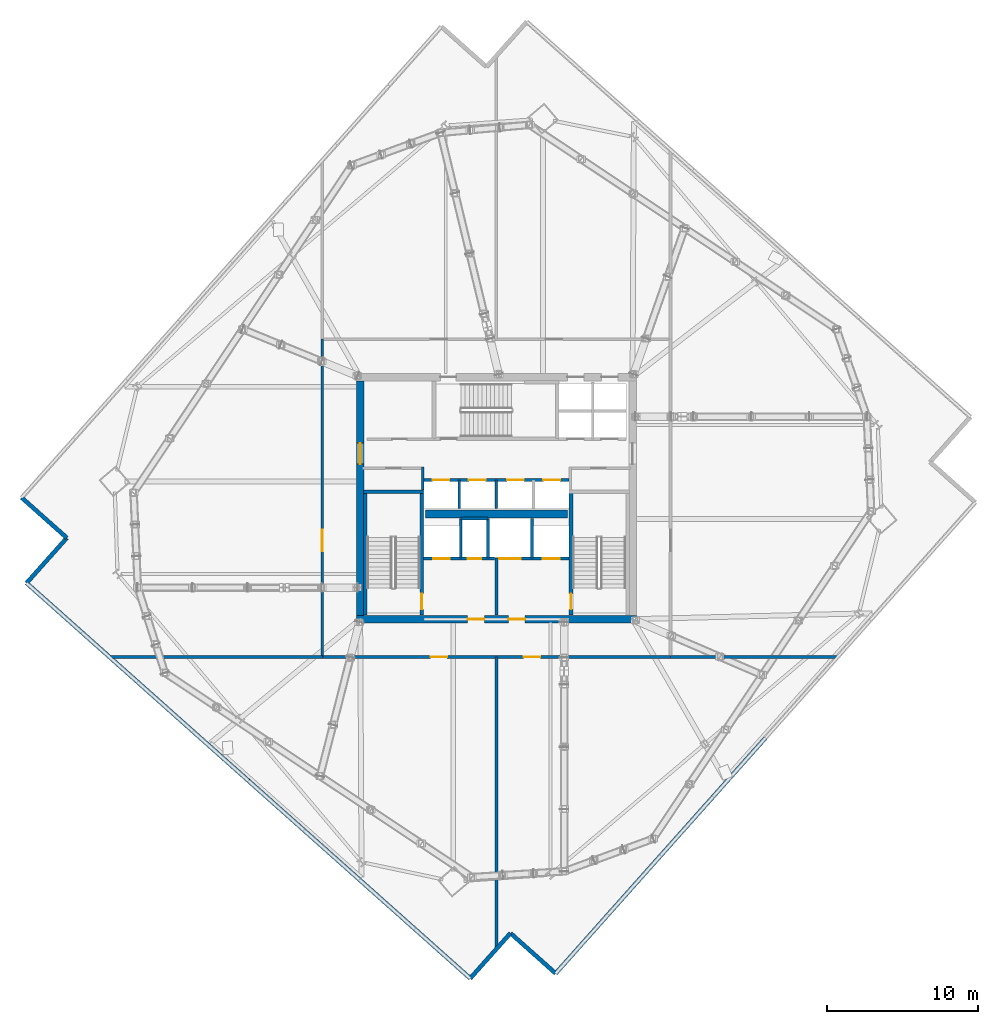
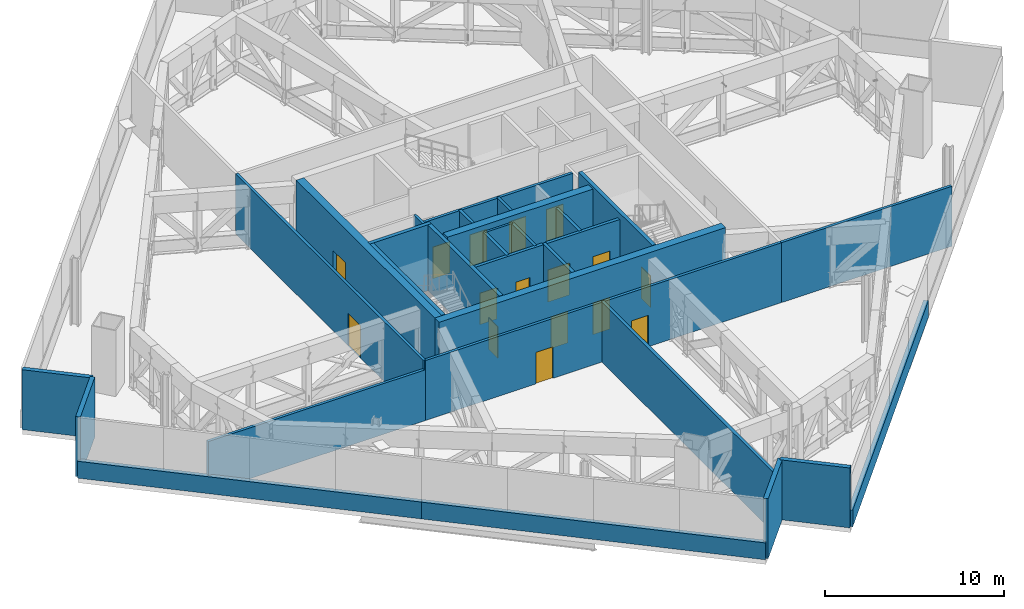
# One storey, part 12 of 18: 30 walls, 16 doors, 16 openings.
"""IFC4 building model written with IfcOpenShell, lengths in metres."""

from ifc_helpers import new_model, si_unit, direction, frame, frame_2d, origin, place, context, subcontext, project, spatial, rectangle, extrude, material, layer, layer_set, type_object, element, fill, save


model = new_model("IFC4")

# Units and contexts
model_context = context("Model", 3, precision=1e-05, world=origin(), true_north=direction((0.0, 1.0)))
body_context = subcontext(model_context, "Body", "Model", "MODEL_VIEW")
ifc_project = project(units=[si_unit("LENGTHUNIT", "METRE"), si_unit("AREAUNIT", "SQUARE_METRE"), si_unit("VOLUMEUNIT", "CUBIC_METRE"), si_unit("PLANEANGLEUNIT", "RADIAN"), si_unit("MASSUNIT", "GRAM", prefix="KILO")], contexts=[model_context])

# Site, building, storey
site_placement = place(None, origin())
site = spatial("IfcSite", under=ifc_project, at=site_placement, CompositionType="ELEMENT")
building_placement = place(site_placement, origin())
building = spatial("IfcBuilding", under=site, at=building_placement, Name="Haldenkirk Collegiate Tower", CompositionType="ELEMENT")
storey_placement = place(building_placement, frame((0.0, 0.0, 189.449951171875)))
storey = spatial("IfcBuildingStorey", under=building, at=storey_placement, Name="L47", CompositionType="ELEMENT", Elevation=189.449951171875)

# Wall, openings, doors
ifc_material_1 = material(Name="Concrete f'c 55 MPa", Category="concrete")
ifc_layer_1 = layer(ifc_material_1, 0.5)
ifc_layer_set_1 = layer_set([ifc_layer_1], Name="Concrete f'c 55 MPa")
wall_type_1 = type_object("IfcWallType", Name="WL-CORE-500", PredefinedType="SHEAR", material=ifc_layer_set_1)
wall_1_placement = place(storey_placement, frame((26.75, 18.0, 0.0), z_axis=(0.0, 0.0, 1.0), x_axis=(1.0, 0.0, 0.0)))
wall_1 = element("IfcWall", 1, at=wall_1_placement, inside=storey, type_object=wall_type_1, Name="L47 central core shear wall S", PredefinedType="SHEAR", context=body_context, shape_type="SweptSolid", body=[
    extrude(rectangle(XDim=18.5, YDim=0.5, at=frame_2d((9.25, 0.0))), origin(), (0.0, 0.0, 1.0), 4.5),
])
opening_1_placement = place(wall_1_placement, frame((7.35009765625, 0.0, 0.0)))
opening_1 = element("IfcOpeningElement", 2, at=opening_1_placement, cuts=wall_1, Name="Opening D-02", PredefinedType="OPENING", context=body_context, shape_type="SweptSolid", body=[
    extrude(rectangle(XDim=1.10009765625, YDim=2.14990234375, at=frame_2d((0.550048828125, 1.074951171875))), frame((0.0, 0.260009765625, 0.0), z_axis=(0.0, -1.0, 0.0), x_axis=(1.0, 0.0, 0.0)), (0.0, 0.0, 1.0), 0.52001953125),
])
opening_2_placement = place(wall_1_placement, frame((10.050048828125, 0.0, 0.0)))
opening_2 = element("IfcOpeningElement", 3, at=opening_2_placement, cuts=wall_1, Name="Opening D-02", PredefinedType="OPENING", context=body_context, shape_type="SweptSolid", body=[
    extrude(rectangle(XDim=1.10009765625, YDim=2.14990234375, at=frame_2d((0.550048828125, 1.074951171875))), frame((0.0, 0.260009765625, 0.0), z_axis=(0.0, -1.0, 0.0), x_axis=(1.0, 0.0, 0.0)), (0.0, 0.0, 1.0), 0.52001953125),
])
ifc_material_2 = material(Name="Galvanized fire-rated hollow steel door", Category="steel")
ifc_layer_2 = layer(ifc_material_2, 0.06005859375)
ifc_layer_set_2 = layer_set([ifc_layer_2], Name="Galvanized fire-rated hollow steel door")
door_type_1 = type_object("IfcDoorType", Name="DR-STAIR-FD90-1100", OperationType="NOTDEFINED", PredefinedType="DOOR", material=ifc_layer_set_2)
door_1_placement = place(opening_1_placement, origin())
door_1 = element("IfcDoor", 4, at=door_1_placement, inside=storey, type_object=door_type_1, Name="L47 Firefighting Lobby 1 door", OperationType="SINGLE_SWING_LEFT", OverallHeight=2.14990234375, OverallWidth=1.10009765625, PredefinedType="DOOR", context=body_context, shape_type="SweptSolid", body=[
    extrude(rectangle(XDim=1.10009765625, YDim=2.14990234375, at=frame_2d((0.550048828125, 1.074951171875))), frame((0.0, 0.02490234375, 0.0), z_axis=(0.0, -1.0, 0.0), x_axis=(1.0, 0.0, 0.0)), (0.0, 0.0, 1.0), 0.050048828125),
])
fill(opening_1, door_1)
door_2_placement = place(opening_2_placement, origin())
door_2 = element("IfcDoor", 5, at=door_2_placement, inside=storey, type_object=door_type_1, Name="L47 Firefighting Lobby 2 door", OperationType="SINGLE_SWING_RIGHT", OverallHeight=2.14990234375, OverallWidth=1.10009765625, PredefinedType="DOOR", context=body_context, shape_type="SweptSolid", body=[
    extrude(rectangle(XDim=1.10009765625, YDim=2.14990234375, at=frame_2d((0.550048828125, 1.074951171875))), frame((0.0, 0.02490234375, 0.0), z_axis=(0.0, -1.0, 0.0), x_axis=(1.0, 0.0, 0.0)), (0.0, 0.0, 1.0), 0.050048828125),
])
fill(opening_2, door_2)

# Wall, opening, door
wall_2_placement = place(storey_placement, frame((27.0, 18.25, 0.0), z_axis=(0.0, 0.0, 1.0), x_axis=(0.0, 1.0, 0.0)))
wall_2 = element("IfcWall", 6, at=wall_2_placement, inside=storey, type_object=wall_type_1, Name="L47 central core shear wall W", PredefinedType="SHEAR", context=body_context, shape_type="SweptSolid", body=[
    extrude(rectangle(XDim=15.5, YDim=0.5, at=frame_2d((7.75, 0.0))), origin(), (0.0, 0.0, 1.0), 4.5),
])
opening_3_placement = place(wall_2_placement, frame((9.989990234375, 0.0, 0.0)))
opening_3 = element("IfcOpeningElement", 7, at=opening_3_placement, cuts=wall_2, Name="Opening D-03", PredefinedType="OPENING", context=body_context, shape_type="SweptSolid", body=[
    extrude(rectangle(XDim=1.39990234375, YDim=2.199951171875, at=frame_2d((0.699951171875, 1.10009765625))), frame((0.0, 0.260009765625, 0.0), z_axis=(0.0, -1.0, 0.0), x_axis=(1.0, 0.0, 0.0)), (0.0, 0.0, 1.0), 0.52001953125),
])
ifc_layer_3 = layer(ifc_material_2, 0.06005859375)
ifc_layer_set_3 = layer_set([ifc_layer_3], Name="Galvanized fire-rated hollow steel door")
door_type_2 = type_object("IfcDoorType", Name="DR-LOBBY-FD90-1400", OperationType="NOTDEFINED", PredefinedType="DOOR", material=ifc_layer_set_3)
door_3_placement = place(opening_3_placement, origin())
door_3 = element("IfcDoor", 8, at=door_3_placement, inside=storey, type_object=door_type_2, Name="L47 west lift lobby portal", OperationType="DOUBLE_DOOR_SINGLE_SWING", OverallHeight=2.199951171875, OverallWidth=1.39990234375, PredefinedType="DOOR", context=body_context, shape_type="SweptSolid", body=[
    extrude(rectangle(XDim=1.39990234375, YDim=2.199951171875, at=frame_2d((0.699951171875, 1.10009765625))), frame((0.0, 0.02490234375, 0.0), z_axis=(0.0, -1.0, 0.0), x_axis=(1.0, 0.0, 0.0)), (0.0, 0.0, 1.0), 0.050048828125),
])
fill(opening_3, door_3)

# Walls
wall_3_placement = place(storey_placement, frame((31.31005859375, 24.949951171875, 0.0), z_axis=(0.0, 0.0, 1.0), x_axis=(1.0, 0.0, 0.0)))
element("IfcWall", 9, at=wall_3_placement, inside=storey, type_object=wall_type_1, Name="L47 central core spine shear wall", PredefinedType="SHEAR", context=body_context, shape_type="SweptSolid", body=[
    extrude(rectangle(XDim=9.3798828125, YDim=0.5, at=frame_2d((4.68994140625, 0.0))), origin(), (0.0, 0.0, 1.0), 4.5),
])
ifc_material_3 = material(Name="Precast concrete f'c 40 MPa", Category="concrete")
ifc_layer_4 = layer(ifc_material_3, 0.280029296875)
ifc_layer_set_4 = layer_set([ifc_layer_4], Name="Precast concrete f'c 40 MPa")
wall_type_2 = type_object("IfcWallType", Name="WL-EXT-PLT-280", PredefinedType="STANDARD", material=ifc_layer_set_4)
wall_4_placement = place(storey_placement, frame((53.78857421875, 10.15087890625, 0.0), z_axis=(0.0, 0.0, 1.0), x_axis=(-0.665226100778, -0.746641972329, 0.0)))
element("IfcWall", 10, at=wall_4_placement, inside=storey, type_object=wall_type_2, Name="L47 plant room precast spandrel 01B", PredefinedType="STANDARD", context=body_context, shape_type="SweptSolid", body=[
    extrude(rectangle(XDim=20.849853515625, YDim=0.280029296875, at=frame_2d((10.4248046875, 0.0))), origin(), (0.0, 0.0, 1.0), 1.150146484375),
])
for number, where, z_axis, x_axis, name in (
    (11, (7.60791015625, 23.371337890625, 0.0), (0.0, 0.0, 1.0), (-0.746644409856, 0.665223364916, 0.0), "L47 plant corner precast wall 08"),
    (12, (4.947021484375, 20.384765625, 0.0), (0.0, 0.0, 1.0), (0.665223364916, 0.746644409856, 0.0), "L47 plant corner precast wall 09"),
):
    element("IfcWall", number, at=place(storey_placement, frame(where, z_axis=z_axis, x_axis=x_axis)), inside=storey, type_object=wall_type_2, Name=name, PredefinedType="STANDARD", context=body_context, shape_type="SweptSolid", body=[
        extrude(rectangle(XDim=4.0, YDim=0.280029296875, at=frame_2d((2.0, 0.0))), origin(), (0.0, 0.0, 1.0), 4.090087890625),
    ])
for number, where, z_axis, x_axis, name in (
    (13, (34.27099609375, -5.7421875, 0.0), (0.0, 0.0, 1.0), (-0.746637837587, 0.665230741535, 0.0), "L47 plant room precast spandrel 10A"),
    (14, (19.60888671875, 7.3212890625, 0.0), (0.0, 0.0, 1.0), (-0.746632335794, 0.665236916554, 0.0), "L47 plant room precast spandrel 10B"),
):
    element("IfcWall", number, at=place(storey_placement, frame(where, z_axis=z_axis, x_axis=x_axis)), inside=storey, type_object=wall_type_2, Name=name, PredefinedType="STANDARD", context=body_context, shape_type="SweptSolid", body=[
        extrude(rectangle(XDim=19.637451171875, YDim=0.280029296875, at=frame_2d((9.81884765625, 0.0))), origin(), (0.0, 0.0, 1.0), 1.150146484375),
    ])
wall_5_placement = place(storey_placement, frame((36.931884765625, -2.755615234375, 0.0), z_axis=(0.0, 0.0, 1.0), x_axis=(-0.665223364916, -0.746644409856, 0.0)))
element("IfcWall", 15, at=wall_5_placement, inside=storey, type_object=wall_type_2, Name="L47 plant corner precast wall 11", PredefinedType="STANDARD", context=body_context, shape_type="SweptSolid", body=[
    extrude(rectangle(XDim=4.0, YDim=0.280029296875, at=frame_2d((2.0, 0.0))), origin(), (0.0, 0.0, 1.0), 4.090087890625),
])
wall_6_placement = place(storey_placement, frame((39.918701171875, -5.41650390625, 0.0), z_axis=(0.0, 0.0, 1.0), x_axis=(-0.746671417466, 0.66519305043, 0.0)))
element("IfcWall", 16, at=wall_6_placement, inside=storey, type_object=wall_type_2, Name="L47 plant corner precast wall 12", PredefinedType="STANDARD", context=body_context, shape_type="SweptSolid", body=[
    extrude(rectangle(XDim=4.000244140625, YDim=0.280029296875, at=frame_2d((2.0, 0.0))), origin(), (0.0, 0.0, 1.0), 4.090087890625),
])
ifc_material_4 = material(Name="Acoustic fire-rated gypsum partition", Category="concrete")
ifc_layer_5 = layer(ifc_material_4, 0.159912109375)
ifc_layer_set_5 = layer_set([ifc_layer_5], Name="Acoustic fire-rated gypsum partition")
wall_type_3 = type_object("IfcWallType", Name="WL-INT-CORR-160", PredefinedType="PARTITIONING", material=ifc_layer_set_5)
wall_7_placement = place(storey_placement, frame((31.1201171875, 26.5400390625, 0.0), z_axis=(0.0, 0.0, 1.0), x_axis=(0.0, 1.0, 0.0)))
element("IfcWall", 17, at=wall_7_placement, inside=storey, type_object=wall_type_3, Name="L47 interior partition IW-L47-VCSW-E", PredefinedType="PARTITIONING", context=body_context, shape_type="SweptSolid", body=[
    extrude(rectangle(XDim=1.510009765625, YDim=0.159912109375, at=frame_2d((0.7548828125, 0.0))), origin(), (0.0, 0.0, 1.0), 4.090087890625),
])
ifc_material_5 = material(Name="Fire-rated gypsum shaftboard assembly", Category="concrete")
ifc_layer_6 = layer(ifc_material_5, 0.179931640625)
ifc_layer_set_6 = layer_set([ifc_layer_6], Name="Fire-rated gypsum shaftboard assembly")
wall_type_4 = type_object("IfcWallType", Name="WL-INT-SHAFT-180", PredefinedType="PARTITIONING", material=ifc_layer_set_6)
for number, where, z_axis, x_axis, name in (
    (18, (33.64990234375, 22.050048828125, 0.0), (0.0, 0.0, 1.0), (0.0, 1.0, 0.0), "L47 interior partition IW-L47-FL1E"),
    (19, (35.449951171875, 22.050048828125, 0.0), (0.0, 0.0, 1.0), (0.0, 1.0, 0.0), "L47 interior partition IW-L47-GL1W"),
):
    element("IfcWall", number, at=place(storey_placement, frame(where, z_axis=z_axis, x_axis=x_axis)), inside=storey, type_object=wall_type_4, Name=name, PredefinedType="PARTITIONING", context=body_context, shape_type="SweptSolid", body=[
        extrude(rectangle(XDim=2.599853515625, YDim=0.179931640625, at=frame_2d((1.2998046875, 0.0))), origin(), (0.0, 0.0, 1.0), 4.090087890625),
    ])
wall_8_placement = place(storey_placement, frame((33.64990234375, 24.64990234375, 0.0), z_axis=(0.0, 0.0, 1.0), x_axis=(1.0, 0.0, 0.0)))
element("IfcWall", 20, at=wall_8_placement, inside=storey, type_object=wall_type_4, Name="L47 interior partition IW-L47-RSRN", PredefinedType="PARTITIONING", context=body_context, shape_type="SweptSolid", body=[
    extrude(rectangle(XDim=1.800048828125, YDim=0.179931640625, at=frame_2d((0.89990234375, 0.0))), origin(), (0.0, 0.0, 1.0), 4.090087890625),
])
wall_9_placement = place(storey_placement, frame((38.35009765625, 22.050048828125, 0.0), z_axis=(0.0, 0.0, 1.0), x_axis=(0.0, 1.0, 0.0)))
element("IfcWall", 21, at=wall_9_placement, inside=storey, type_object=wall_type_4, Name="L47 interior partition IW-L47-GL1E", PredefinedType="PARTITIONING", context=body_context, shape_type="SweptSolid", body=[
    extrude(rectangle(XDim=2.599853515625, YDim=0.179931640625, at=frame_2d((1.2998046875, 0.0))), origin(), (0.0, 0.0, 1.0), 4.090087890625),
])

# Wall, openings, doors
wall_10_placement = place(storey_placement, frame((31.199951171875, 27.199951171875, 0.0), z_axis=(0.0, 0.0, 1.0), x_axis=(1.0, 0.0, 0.0)))
wall_10 = element("IfcWall", 22, at=wall_10_placement, inside=storey, type_object=wall_type_4, Name="L47 interior partition IW-L47-PHN", PredefinedType="PARTITIONING", context=body_context, shape_type="SweptSolid", body=[
    extrude(rectangle(XDim=9.60009765625, YDim=0.179931640625, at=frame_2d((4.800048828125, 0.0))), origin(), (0.0, 0.0, 1.0), 4.090087890625),
])
opening_4_placement = place(wall_10_placement, frame((0.590087890625, 0.0, 0.0)))
opening_4 = element("IfcOpeningElement", 23, at=opening_4_placement, cuts=wall_10, Name="Opening LD-11", PredefinedType="OPENING", context=body_context, shape_type="SweptSolid", body=[
    extrude(rectangle(XDim=1.10009765625, YDim=2.14990234375, at=frame_2d((0.550048828125, 1.074951171875))), frame((0.0, 0.099853515625, 0.0), z_axis=(0.0, -1.0, 0.0), x_axis=(1.0, 0.0, 0.0)), (0.0, 0.0, 1.0), 0.199951171875),
])
opening_5_placement = place(wall_10_placement, frame((2.989990234375, 0.0, 0.0)))
opening_5 = element("IfcOpeningElement", 24, at=opening_5_placement, cuts=wall_10, Name="Opening LD-11", PredefinedType="OPENING", context=body_context, shape_type="SweptSolid", body=[
    extrude(rectangle(XDim=1.10009765625, YDim=2.14990234375, at=frame_2d((0.550048828125, 1.074951171875))), frame((0.0, 0.099853515625, 0.0), z_axis=(0.0, -1.0, 0.0), x_axis=(1.0, 0.0, 0.0)), (0.0, 0.0, 1.0), 0.199951171875),
])
opening_6_placement = place(wall_10_placement, frame((5.510009765625, 0.0, 0.0)))
opening_6 = element("IfcOpeningElement", 25, at=opening_6_placement, cuts=wall_10, Name="Opening LD-11", PredefinedType="OPENING", context=body_context, shape_type="SweptSolid", body=[
    extrude(rectangle(XDim=1.10009765625, YDim=2.14990234375, at=frame_2d((0.550048828125, 1.074951171875))), frame((0.0, 0.099853515625, 0.0), z_axis=(0.0, -1.0, 0.0), x_axis=(1.0, 0.0, 0.0)), (0.0, 0.0, 1.0), 0.199951171875),
])
opening_7_placement = place(wall_10_placement, frame((7.909912109375, 0.0, 0.0)))
opening_7 = element("IfcOpeningElement", 26, at=opening_7_placement, cuts=wall_10, Name="Opening LD-11", PredefinedType="OPENING", context=body_context, shape_type="SweptSolid", body=[
    extrude(rectangle(XDim=1.10009765625, YDim=2.14990234375, at=frame_2d((0.550048828125, 1.074951171875))), frame((0.0, 0.099853515625, 0.0), z_axis=(0.0, -1.0, 0.0), x_axis=(1.0, 0.0, 0.0)), (0.0, 0.0, 1.0), 0.199951171875),
])
ifc_material_6 = material(Name="Brushed architectural stainless steel", Category="steel")
ifc_layer_7 = layer(ifc_material_6, 0.06005859375)
ifc_layer_set_7 = layer_set([ifc_layer_7], Name="Brushed architectural stainless steel")
door_type_3 = type_object("IfcDoorType", Name="LD-PASS-1100", OperationType="NOTDEFINED", PredefinedType="DOOR", material=ifc_layer_set_7)
door_4_placement = place(opening_4_placement, origin())
door_4 = element("IfcDoor", 27, at=door_4_placement, inside=storey, type_object=door_type_3, Name="L47 Elevator PH1 sliding landing door", OperationType="SLIDING_TO_LEFT", OverallHeight=2.14990234375, OverallWidth=1.10009765625, PredefinedType="DOOR", context=body_context, shape_type="SweptSolid", body=[
    extrude(rectangle(XDim=1.10009765625, YDim=2.14990234375, at=frame_2d((0.550048828125, 1.074951171875))), frame((0.0, 0.02490234375, 0.0), z_axis=(0.0, -1.0, 0.0), x_axis=(1.0, 0.0, 0.0)), (0.0, 0.0, 1.0), 0.050048828125),
])
fill(opening_4, door_4)
door_5_placement = place(opening_5_placement, origin())
door_5 = element("IfcDoor", 28, at=door_5_placement, inside=storey, type_object=door_type_3, Name="L47 Elevator PH2 sliding landing door", OperationType="SLIDING_TO_LEFT", OverallHeight=2.14990234375, OverallWidth=1.10009765625, PredefinedType="DOOR", context=body_context, shape_type="SweptSolid", body=[
    extrude(rectangle(XDim=1.10009765625, YDim=2.14990234375, at=frame_2d((0.550048828125, 1.074951171875))), frame((0.0, 0.02490234375, 0.0), z_axis=(0.0, -1.0, 0.0), x_axis=(1.0, 0.0, 0.0)), (0.0, 0.0, 1.0), 0.050048828125),
])
fill(opening_5, door_5)
door_6_placement = place(opening_6_placement, origin())
door_6 = element("IfcDoor", 29, at=door_6_placement, inside=storey, type_object=door_type_3, Name="L47 Elevator PH3 sliding landing door", OperationType="SLIDING_TO_LEFT", OverallHeight=2.14990234375, OverallWidth=1.10009765625, PredefinedType="DOOR", context=body_context, shape_type="SweptSolid", body=[
    extrude(rectangle(XDim=1.10009765625, YDim=2.14990234375, at=frame_2d((0.550048828125, 1.074951171875))), frame((0.0, 0.02490234375, 0.0), z_axis=(0.0, -1.0, 0.0), x_axis=(1.0, 0.0, 0.0)), (0.0, 0.0, 1.0), 0.050048828125),
])
fill(opening_6, door_6)
door_7_placement = place(opening_7_placement, origin())
door_7 = element("IfcDoor", 30, at=door_7_placement, inside=storey, type_object=door_type_3, Name="L47 Elevator PH4 sliding landing door", OperationType="SLIDING_TO_LEFT", OverallHeight=2.14990234375, OverallWidth=1.10009765625, PredefinedType="DOOR", context=body_context, shape_type="SweptSolid", body=[
    extrude(rectangle(XDim=1.10009765625, YDim=2.14990234375, at=frame_2d((0.550048828125, 1.074951171875))), frame((0.0, 0.02490234375, 0.0), z_axis=(0.0, -1.0, 0.0), x_axis=(1.0, 0.0, 0.0)), (0.0, 0.0, 1.0), 0.050048828125),
])
fill(opening_7, door_7)

# Walls
for number, where, z_axis, x_axis, name in (
    (31, (33.5400390625, 25.300048828125, 0.0), (0.0, 0.0, 1.0), (0.0, 1.0, 0.0), "L47 interior partition IW-L47-PHV1"),
    (32, (36.0, 25.300048828125, 0.0), (0.0, 0.0, 1.0), (0.0, 1.0, 0.0), "L47 interior partition IW-L47-PHV2"),
):
    element("IfcWall", number, at=place(storey_placement, frame(where, z_axis=z_axis, x_axis=x_axis)), inside=storey, type_object=wall_type_4, Name=name, PredefinedType="PARTITIONING", context=body_context, shape_type="SweptSolid", body=[
        extrude(rectangle(XDim=1.89990234375, YDim=0.179931640625, at=frame_2d((0.949951171875, 0.0))), origin(), (0.0, 0.0, 1.0), 4.090087890625),
    ])

# Wall, openings, doors
wall_11_placement = place(storey_placement, frame((24.5, 15.5, 0.0), z_axis=(0.0, 0.0, 1.0), x_axis=(1.0, 0.0, 0.0)))
wall_11 = element("IfcWall", 33, at=wall_11_placement, inside=storey, type_object=wall_type_4, Name="L47 interior partition IW-L47-CS", PredefinedType="PARTITIONING", context=body_context, shape_type="SweptSolid", body=[
    extrude(rectangle(XDim=23.0, YDim=0.179931640625, at=frame_2d((11.5, 0.0))), origin(), (0.0, 0.0, 1.0), 4.090087890625),
])
opening_8_placement = place(wall_11_placement, frame((7.14990234375, 0.0, 0.0)))
opening_8 = element("IfcOpeningElement", 34, at=opening_8_placement, cuts=wall_11, Name="Opening D-02", PredefinedType="OPENING", context=body_context, shape_type="SweptSolid", body=[
    extrude(rectangle(XDim=1.10009765625, YDim=2.14990234375, at=frame_2d((0.550048828125, 1.074951171875))), frame((0.0, 0.099853515625, 0.0), z_axis=(0.0, -1.0, 0.0), x_axis=(1.0, 0.0, 0.0)), (0.0, 0.0, 1.0), 0.199951171875),
])
opening_9_placement = place(wall_11_placement, frame((13.300048828125, 0.0, 0.0)))
opening_9 = element("IfcOpeningElement", 35, at=opening_9_placement, cuts=wall_11, Name="Opening D-02", PredefinedType="OPENING", context=body_context, shape_type="SweptSolid", body=[
    extrude(rectangle(XDim=1.10009765625, YDim=2.14990234375, at=frame_2d((0.550048828125, 1.074951171875))), frame((0.0, 0.099853515625, 0.0), z_axis=(0.0, -1.0, 0.0), x_axis=(1.0, 0.0, 0.0)), (0.0, 0.0, 1.0), 0.199951171875),
])
door_8_placement = place(opening_8_placement, origin())
door_8 = element("IfcDoor", 36, at=door_8_placement, inside=storey, type_object=door_type_1, Name="L47 west refuge door", OperationType="SINGLE_SWING_RIGHT", OverallHeight=2.14990234375, OverallWidth=1.10009765625, PredefinedType="DOOR", context=body_context, shape_type="SweptSolid", body=[
    extrude(rectangle(XDim=1.10009765625, YDim=2.14990234375, at=frame_2d((0.550048828125, 1.074951171875))), frame((0.0, 0.02490234375, 0.0), z_axis=(0.0, -1.0, 0.0), x_axis=(1.0, 0.0, 0.0)), (0.0, 0.0, 1.0), 0.050048828125),
])
fill(opening_8, door_8)
door_9_placement = place(opening_9_placement, origin())
door_9 = element("IfcDoor", 37, at=door_9_placement, inside=storey, type_object=door_type_1, Name="L47 east refuge door", OperationType="SINGLE_SWING_LEFT", OverallHeight=2.14990234375, OverallWidth=1.10009765625, PredefinedType="DOOR", context=body_context, shape_type="SweptSolid", body=[
    extrude(rectangle(XDim=1.10009765625, YDim=2.14990234375, at=frame_2d((0.550048828125, 1.074951171875))), frame((0.0, 0.02490234375, 0.0), z_axis=(0.0, -1.0, 0.0), x_axis=(1.0, 0.0, 0.0)), (0.0, 0.0, 1.0), 0.050048828125),
])
fill(opening_9, door_9)

# Wall, opening, door
wall_12_placement = place(storey_placement, frame((24.5, 15.5, 0.0), z_axis=(0.0, 0.0, 1.0), x_axis=(0.0, 1.0, 0.0)))
wall_12 = element("IfcWall", 38, at=wall_12_placement, inside=storey, type_object=wall_type_4, Name="L47 interior partition IW-L47-CW", PredefinedType="PARTITIONING", context=body_context, shape_type="SweptSolid", body=[
    extrude(rectangle(XDim=21.0, YDim=0.179931640625, at=frame_2d((10.5, 0.0))), origin(), (0.0, 0.0, 1.0), 4.090087890625),
])
opening_10_placement = place(wall_12_placement, frame((7.0, 0.0, 0.0)))
opening_10 = element("IfcOpeningElement", 39, at=opening_10_placement, cuts=wall_12, Name="Opening D-03", PredefinedType="OPENING", context=body_context, shape_type="SweptSolid", body=[
    extrude(rectangle(XDim=1.39990234375, YDim=2.199951171875, at=frame_2d((0.699951171875, 1.10009765625))), frame((0.0, 0.099853515625, 0.0), z_axis=(0.0, -1.0, 0.0), x_axis=(1.0, 0.0, 0.0)), (0.0, 0.0, 1.0), 0.199951171875),
])
door_10_placement = place(opening_10_placement, origin())
door_10 = element("IfcDoor", 40, at=door_10_placement, inside=storey, type_object=door_type_2, Name="L47 west plant door", OperationType="DOUBLE_DOOR_SINGLE_SWING", OverallHeight=2.199951171875, OverallWidth=1.39990234375, PredefinedType="DOOR", context=body_context, shape_type="SweptSolid", body=[
    extrude(rectangle(XDim=1.39990234375, YDim=2.199951171875, at=frame_2d((0.699951171875, 1.10009765625))), frame((0.0, 0.02490234375, 0.0), z_axis=(0.0, -1.0, 0.0), x_axis=(1.0, 0.0, 0.0)), (0.0, 0.0, 1.0), 0.050048828125),
])
fill(opening_10, door_10)

# Walls
wall_13_placement = place(storey_placement, frame((10.489501953125, 15.5, 0.0), z_axis=(0.0, 0.0, 1.0), x_axis=(1.0, 0.0, 0.0)))
element("IfcWall", 41, at=wall_13_placement, inside=storey, type_object=wall_type_4, Name="L47 interior partition IW-L47-PLTW", PredefinedType="PARTITIONING", context=body_context, shape_type="SweptSolid", body=[
    extrude(rectangle(XDim=14.010498046875, YDim=0.179931640625, at=frame_2d((7.00537109375, 0.0))), origin(), (0.0, 0.0, 1.0), 3.468994140625),
])
wall_14_placement = place(storey_placement, frame((47.5, 15.5, 0.0), z_axis=(0.0, 0.0, 1.0), x_axis=(1.0, 0.0, 0.0)))
element("IfcWall", 42, at=wall_14_placement, inside=storey, type_object=wall_type_4, Name="L47 interior partition IW-L47-PLTE", PredefinedType="PARTITIONING", context=body_context, shape_type="SweptSolid", body=[
    extrude(rectangle(XDim=11.0009765625, YDim=0.179931640625, at=frame_2d((5.50048828125, 0.0))), origin(), (0.0, 0.0, 1.0), 4.090087890625),
])
ifc_layer_8 = layer(ifc_material_5, 0.199951171875)
ifc_layer_set_8 = layer_set([ifc_layer_8], Name="Fire-rated gypsum shaftboard assembly")
wall_type_5 = type_object("IfcWallType", Name="WL-INT-SHAFT-200", PredefinedType="PARTITIONING", material=ifc_layer_set_8)
wall_15_placement = place(storey_placement, frame((36.0, 18.280029296875, 0.0), z_axis=(0.0, 0.0, 1.0), x_axis=(0.0, 1.0, 0.0)))
element("IfcWall", 43, at=wall_15_placement, inside=storey, type_object=wall_type_5, Name="L47 interior partition IW-L47-FFLM", PredefinedType="PARTITIONING", context=body_context, shape_type="SweptSolid", body=[
    extrude(rectangle(XDim=3.77001953125, YDim=0.199951171875, at=frame_2d((1.885009765625, 0.0))), origin(), (0.0, 0.0, 1.0), 4.090087890625),
])

# Wall, openings, doors
wall_16_placement = place(storey_placement, frame((31.18994140625, 22.0, 0.0), z_axis=(0.0, 0.0, 1.0), x_axis=(1.0, 0.0, 0.0)))
wall_16 = element("IfcWall", 44, at=wall_16_placement, inside=storey, type_object=wall_type_5, Name="L47 interior partition IW-L47-FFL1N", PredefinedType="PARTITIONING", context=body_context, shape_type="SweptSolid", body=[
    extrude(rectangle(XDim=4.68994140625, YDim=0.199951171875, at=frame_2d((2.344970703125, 0.0))), origin(), (0.0, 0.0, 1.0), 4.090087890625),
])
opening_11_placement = place(wall_16_placement, frame((2.909912109375, 0.0, 0.0)))
opening_11 = element("IfcOpeningElement", 45, at=opening_11_placement, cuts=wall_16, Name="Opening D-06", PredefinedType="OPENING", context=body_context, shape_type="SweptSolid", body=[
    extrude(rectangle(XDim=0.89990234375, YDim=2.14990234375, at=frame_2d((0.449951171875, 1.074951171875))), frame((0.0, 0.10986328125, 0.0), z_axis=(0.0, -1.0, 0.0), x_axis=(1.0, 0.0, 0.0)), (0.0, 0.0, 1.0), 0.219970703125),
])
opening_12_placement = place(wall_16_placement, frame((0.635009765625, 0.0, 0.0)))
opening_12 = element("IfcOpeningElement", 46, at=opening_12_placement, cuts=wall_16, Name="Opening LD-12", PredefinedType="OPENING", context=body_context, shape_type="SweptSolid", body=[
    extrude(rectangle(XDim=1.10009765625, YDim=2.14990234375, at=frame_2d((0.550048828125, 1.074951171875))), frame((0.0, 0.10986328125, 0.0), z_axis=(0.0, -1.0, 0.0), x_axis=(1.0, 0.0, 0.0)), (0.0, 0.0, 1.0), 0.219970703125),
])
ifc_layer_9 = layer(ifc_material_2, 0.06005859375)
ifc_layer_set_9 = layer_set([ifc_layer_9], Name="Galvanized fire-rated hollow steel door")
door_type_4 = type_object("IfcDoorType", Name="DR-INT-FD90-900", OperationType="NOTDEFINED", PredefinedType="DOOR", material=ifc_layer_set_9)
door_11_placement = place(opening_11_placement, origin())
door_11 = element("IfcDoor", 47, at=door_11_placement, inside=storey, type_object=door_type_4, Name="L47 electrical riser door", OperationType="SINGLE_SWING_LEFT", OverallHeight=2.14990234375, OverallWidth=0.89990234375, PredefinedType="DOOR", context=body_context, shape_type="SweptSolid", body=[
    extrude(rectangle(XDim=0.89990234375, YDim=2.14990234375, at=frame_2d((0.449951171875, 1.074951171875))), frame((0.0, 0.02490234375, 0.0), z_axis=(0.0, -1.0, 0.0), x_axis=(1.0, 0.0, 0.0)), (0.0, 0.0, 1.0), 0.050048828125),
])
fill(opening_11, door_11)
ifc_layer_10 = layer(ifc_material_6, 0.06005859375)
ifc_layer_set_10 = layer_set([ifc_layer_10], Name="Brushed architectural stainless steel")
door_type_5 = type_object("IfcDoorType", Name="LD-FIRE-1100", OperationType="NOTDEFINED", PredefinedType="DOOR", material=ifc_layer_set_10)
door_12_placement = place(opening_12_placement, origin())
door_12 = element("IfcDoor", 48, at=door_12_placement, inside=storey, type_object=door_type_5, Name="L47 Elevator FL1 sliding landing door", OperationType="SLIDING_TO_LEFT", OverallHeight=2.14990234375, OverallWidth=1.10009765625, PredefinedType="DOOR", context=body_context, shape_type="SweptSolid", body=[
    extrude(rectangle(XDim=1.10009765625, YDim=2.14990234375, at=frame_2d((0.550048828125, 1.074951171875))), frame((0.0, 0.02490234375, 0.0), z_axis=(0.0, -1.0, 0.0), x_axis=(1.0, 0.0, 0.0)), (0.0, 0.0, 1.0), 0.050048828125),
])
fill(opening_12, door_12)

wall_17_placement = place(storey_placement, frame((36.1201171875, 22.0, 0.0), z_axis=(0.0, 0.0, 1.0), x_axis=(1.0, 0.0, 0.0)))
wall_17 = element("IfcWall", 49, at=wall_17_placement, inside=storey, type_object=wall_type_5, Name="L47 interior partition IW-L47-FFL2N", PredefinedType="PARTITIONING", context=body_context, shape_type="SweptSolid", body=[
    extrude(rectangle(XDim=4.68994140625, YDim=0.199951171875, at=frame_2d((2.344970703125, 0.0))), origin(), (0.0, 0.0, 1.0), 4.090087890625),
])
opening_13_placement = place(wall_17_placement, frame((2.955078125, 0.0, 0.0)))
opening_13 = element("IfcOpeningElement", 50, at=opening_13_placement, cuts=wall_17, Name="Opening LD-12", PredefinedType="OPENING", context=body_context, shape_type="SweptSolid", body=[
    extrude(rectangle(XDim=1.10009765625, YDim=2.14990234375, at=frame_2d((0.550048828125, 1.074951171875))), frame((0.0, 0.10986328125, 0.0), z_axis=(0.0, -1.0, 0.0), x_axis=(1.0, 0.0, 0.0)), (0.0, 0.0, 1.0), 0.219970703125),
])
opening_14_placement = place(wall_17_placement, frame((0.080078125, 0.0, 0.0)))
opening_14 = element("IfcOpeningElement", 51, at=opening_14_placement, cuts=wall_17, Name="Opening LD-13", PredefinedType="OPENING", context=body_context, shape_type="SweptSolid", body=[
    extrude(rectangle(XDim=1.39990234375, YDim=2.199951171875, at=frame_2d((0.699951171875, 1.10009765625))), frame((0.0, 0.10986328125, 0.0), z_axis=(0.0, -1.0, 0.0), x_axis=(1.0, 0.0, 0.0)), (0.0, 0.0, 1.0), 0.219970703125),
])
door_13_placement = place(opening_13_placement, origin())
door_13 = element("IfcDoor", 52, at=door_13_placement, inside=storey, type_object=door_type_5, Name="L47 Elevator FL2 sliding landing door", OperationType="SLIDING_TO_LEFT", OverallHeight=2.14990234375, OverallWidth=1.10009765625, PredefinedType="DOOR", context=body_context, shape_type="SweptSolid", body=[
    extrude(rectangle(XDim=1.10009765625, YDim=2.14990234375, at=frame_2d((0.550048828125, 1.074951171875))), frame((0.0, 0.02490234375, 0.0), z_axis=(0.0, -1.0, 0.0), x_axis=(1.0, 0.0, 0.0)), (0.0, 0.0, 1.0), 0.050048828125),
])
fill(opening_13, door_13)
ifc_layer_11 = layer(ifc_material_6, 0.06005859375)
ifc_layer_set_11 = layer_set([ifc_layer_11], Name="Brushed architectural stainless steel")
door_type_6 = type_object("IfcDoorType", Name="LD-GOODS-1400", OperationType="NOTDEFINED", PredefinedType="DOOR", material=ifc_layer_set_11)
door_14_placement = place(opening_14_placement, origin())
door_14 = element("IfcDoor", 53, at=door_14_placement, inside=storey, type_object=door_type_6, Name="L47 Elevator GL1 sliding landing door", OperationType="SLIDING_TO_LEFT", OverallHeight=2.199951171875, OverallWidth=1.39990234375, PredefinedType="DOOR", context=body_context, shape_type="SweptSolid", body=[
    extrude(rectangle(XDim=1.39990234375, YDim=2.199951171875, at=frame_2d((0.699951171875, 1.10009765625))), frame((0.0, 0.02490234375, 0.0), z_axis=(0.0, -1.0, 0.0), x_axis=(1.0, 0.0, 0.0)), (0.0, 0.0, 1.0), 0.050048828125),
])
fill(opening_14, door_14)

# Wall
wall_18_placement = place(storey_placement, frame((36.0, -3.741455078125, 0.0), z_axis=(0.0, 0.0, 1.0), x_axis=(0.0, 1.0, 0.0)))
element("IfcWall", 54, at=wall_18_placement, inside=storey, type_object=wall_type_5, Name="L47 interior partition IW-L47-REFS", PredefinedType="PARTITIONING", context=body_context, shape_type="SweptSolid", body=[
    extrude(rectangle(XDim=19.241455078125, YDim=0.199951171875, at=frame_2d((9.62060546875, 0.0))), origin(), (0.0, 0.0, 1.0), 4.090087890625),
])

# Wall, opening, door
ifc_layer_12 = layer(ifc_material_1, 0.239990234375)
ifc_layer_set_12 = layer_set([ifc_layer_12], Name="Concrete f'c 55 MPa")
wall_type_6 = type_object("IfcWallType", Name="WL-SHAFT-240", PredefinedType="SHEAR", material=ifc_layer_set_12)
wall_19_placement = place(storey_placement, frame((31.070068359375, 18.280029296875, 0.0), z_axis=(0.0, 0.0, 1.0), x_axis=(0.0, 1.0, 0.0)))
wall_19 = element("IfcWall", 55, at=wall_19_placement, inside=storey, type_object=wall_type_6, Name="L47 stair shaft shear wall SW-L47-ST1E", PredefinedType="SHEAR", context=body_context, shape_type="SweptSolid", body=[
    extrude(rectangle(XDim=8.260009765625, YDim=0.239990234375, at=frame_2d((4.1298828125, 0.0))), origin(), (0.0, 0.0, 1.0), 4.5),
])
opening_15_placement = place(wall_19_placement, frame((0.364990234375, 0.0, 0.0)))
opening_15 = element("IfcOpeningElement", 56, at=opening_15_placement, cuts=wall_19, Name="Opening D-01", PredefinedType="OPENING", context=body_context, shape_type="SweptSolid", body=[
    extrude(rectangle(XDim=1.050048828125, YDim=2.14990234375, at=frame_2d((0.52490234375, 1.074951171875))), frame((0.0, 0.1298828125, 0.0), z_axis=(0.0, -1.0, 0.0), x_axis=(1.0, 0.0, 0.0)), (0.0, 0.0, 1.0), 0.260009765625),
])
ifc_layer_13 = layer(ifc_material_2, 0.06005859375)
ifc_layer_set_13 = layer_set([ifc_layer_13], Name="Galvanized fire-rated hollow steel door")
door_type_7 = type_object("IfcDoorType", Name="DR-STAIR-FD90-1050", OperationType="NOTDEFINED", PredefinedType="DOOR", material=ifc_layer_set_13)
door_15_placement = place(opening_15_placement, origin())
door_15 = element("IfcDoor", 57, at=door_15_placement, inside=storey, type_object=door_type_7, Name="L47 Stair 1 door", OperationType="SINGLE_SWING_LEFT", OverallHeight=2.14990234375, OverallWidth=1.050048828125, PredefinedType="DOOR", context=body_context, shape_type="SweptSolid", body=[
    extrude(rectangle(XDim=1.050048828125, YDim=2.14990234375, at=frame_2d((0.52490234375, 1.074951171875))), frame((0.0, 0.02490234375, 0.0), z_axis=(0.0, -1.0, 0.0), x_axis=(1.0, 0.0, 0.0)), (0.0, 0.0, 1.0), 0.050048828125),
])
fill(opening_15, door_15)

# Walls
wall_20_placement = place(storey_placement, frame((27.2099609375, 26.419921875, 0.0), z_axis=(0.0, 0.0, 1.0), x_axis=(1.0, 0.0, 0.0)))
element("IfcWall", 58, at=wall_20_placement, inside=storey, type_object=wall_type_6, Name="L47 stair shaft shear wall SW-L47-ST1N", PredefinedType="SHEAR", context=body_context, shape_type="SweptSolid", body=[
    extrude(rectangle(XDim=3.97998046875, YDim=0.239990234375, at=frame_2d((1.989990234375, 0.0))), origin(), (0.0, 0.0, 1.0), 4.5),
])
wall_21_placement = place(storey_placement, frame((27.330078125, 18.280029296875, 0.0), z_axis=(0.0, 0.0, 1.0), x_axis=(0.0, 1.0, 0.0)))
element("IfcWall", 59, at=wall_21_placement, inside=storey, type_object=wall_type_6, Name="L47 stair shaft shear wall SW-L47-ST1W", PredefinedType="SHEAR", context=body_context, shape_type="SweptSolid", body=[
    extrude(rectangle(XDim=8.260009765625, YDim=0.239990234375, at=frame_2d((4.1298828125, 0.0))), origin(), (0.0, 0.0, 1.0), 4.5),
])

# Wall, opening, door
wall_22_placement = place(storey_placement, frame((40.929931640625, 18.280029296875, 0.0), z_axis=(0.0, 0.0, 1.0), x_axis=(0.0, 1.0, 0.0)))
wall_22 = element("IfcWall", 60, at=wall_22_placement, inside=storey, type_object=wall_type_6, Name="L47 stair shaft shear wall SW-L47-ST2W", PredefinedType="SHEAR", context=body_context, shape_type="SweptSolid", body=[
    extrude(rectangle(XDim=8.260009765625, YDim=0.239990234375, at=frame_2d((4.1298828125, 0.0))), origin(), (0.0, 0.0, 1.0), 4.5),
])
opening_16_placement = place(wall_22_placement, frame((0.364990234375, 0.0, 0.0)))
opening_16 = element("IfcOpeningElement", 61, at=opening_16_placement, cuts=wall_22, Name="Opening D-01", PredefinedType="OPENING", context=body_context, shape_type="SweptSolid", body=[
    extrude(rectangle(XDim=1.050048828125, YDim=2.14990234375, at=frame_2d((0.52490234375, 1.074951171875))), frame((0.0, 0.1298828125, 0.0), z_axis=(0.0, -1.0, 0.0), x_axis=(1.0, 0.0, 0.0)), (0.0, 0.0, 1.0), 0.260009765625),
])
door_16_placement = place(opening_16_placement, origin())
door_16 = element("IfcDoor", 62, at=door_16_placement, inside=storey, type_object=door_type_7, Name="L47 Stair 2 door", OperationType="SINGLE_SWING_RIGHT", OverallHeight=2.14990234375, OverallWidth=1.050048828125, PredefinedType="DOOR", context=body_context, shape_type="SweptSolid", body=[
    extrude(rectangle(XDim=1.050048828125, YDim=2.14990234375, at=frame_2d((0.52490234375, 1.074951171875))), frame((0.0, 0.02490234375, 0.0), z_axis=(0.0, -1.0, 0.0), x_axis=(1.0, 0.0, 0.0)), (0.0, 0.0, 1.0), 0.050048828125),
])
fill(opening_16, door_16)

save(model, "model.ifc")
